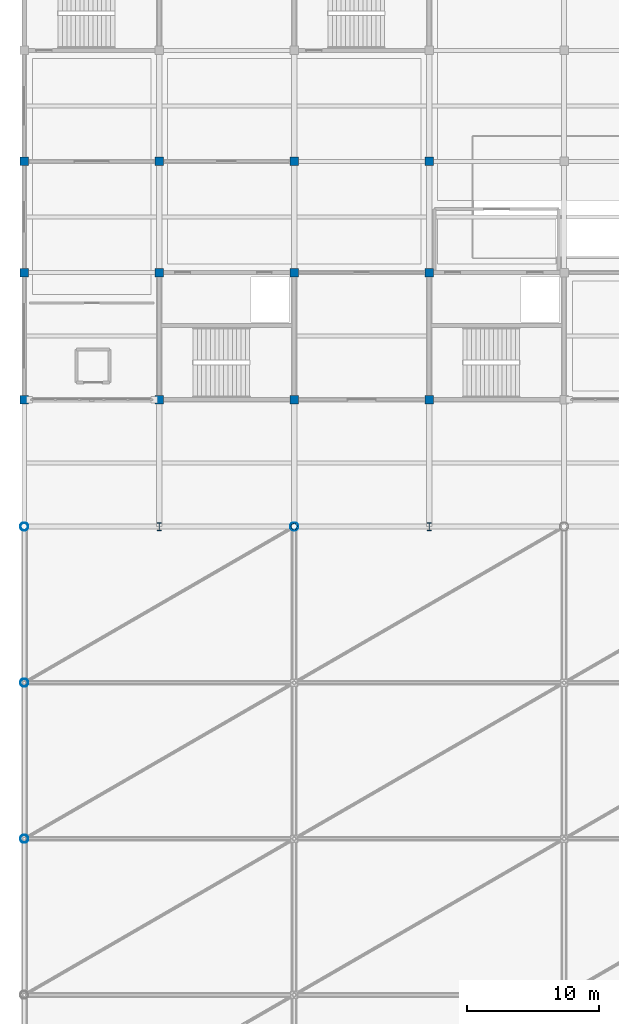
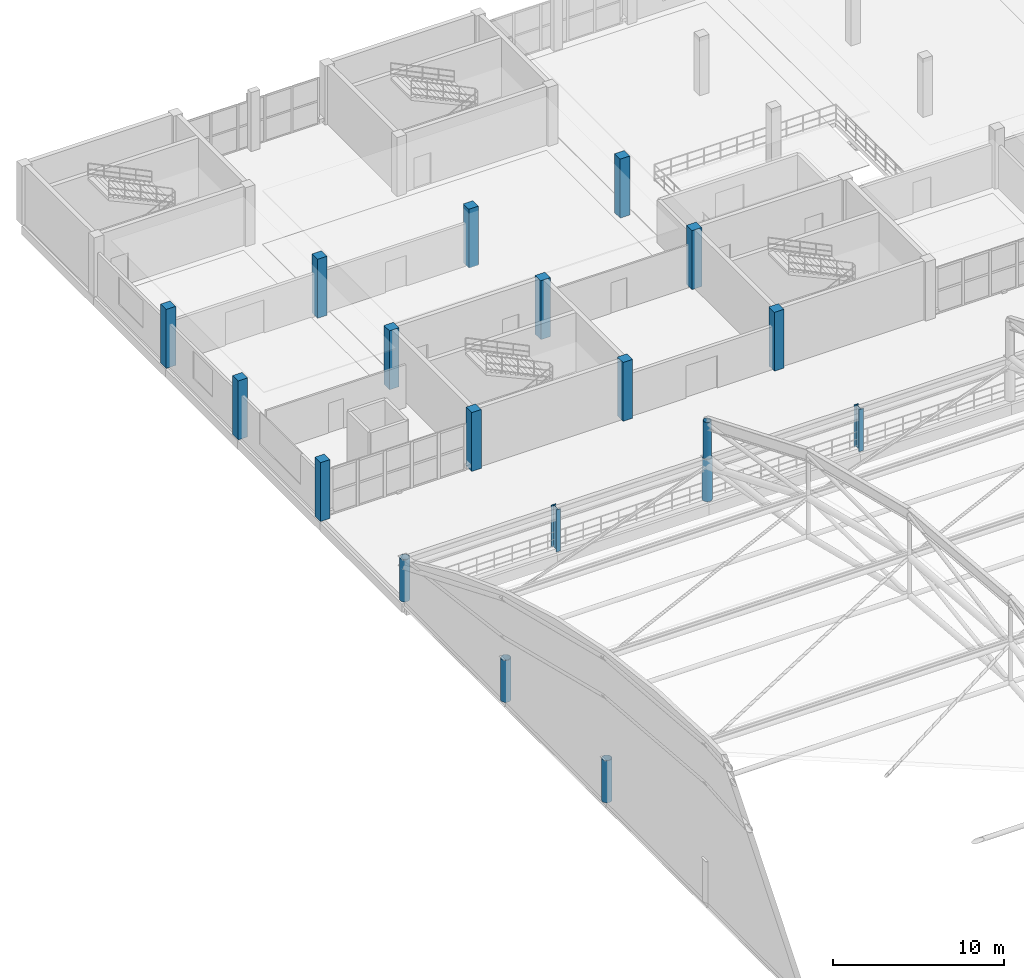
# One storey, part 5 of 135: 19 columns.
"""IFC4 building model written with IfcOpenShell, lengths in metres."""

from ifc_helpers import new_model, si_unit, direction, frame, origin, origin_2d, place, context, subcontext, project, spatial, rectangle, hollow_circle, i_section, extrude, material, material_profile, profile_set, type_object, element, save


model = new_model("IFC4")

# Units and contexts
model_context = context("Model", 3, precision=1e-05, world=origin(), true_north=direction((0.0, 1.0)))
body_context = subcontext(model_context, "Body", "Model", "MODEL_VIEW")
ifc_project = project(units=[si_unit("LENGTHUNIT", "METRE"), si_unit("AREAUNIT", "SQUARE_METRE"), si_unit("VOLUMEUNIT", "CUBIC_METRE"), si_unit("PLANEANGLEUNIT", "RADIAN"), si_unit("MASSUNIT", "GRAM", prefix="KILO")], contexts=[model_context])

# Site, building, storey
site_placement = place(None, origin())
site = spatial("IfcSite", under=ifc_project, at=site_placement, CompositionType="ELEMENT")
building_placement = place(site_placement, origin())
building = spatial("IfcBuilding", under=site, at=building_placement, Name="Brelvane Convention Centre", CompositionType="ELEMENT")
storey_placement = place(building_placement, frame((0.0, 0.0, 15.0)))
storey = spatial("IfcBuildingStorey", under=building, at=storey_placement, Name="L03", CompositionType="ELEMENT", Elevation=15.0)

# Columns
ifc_material_1 = material(Name="Concrete M50", Category="concrete")
ifc_material_profile_1 = material_profile(ifc_material_1, rectangle(XDim=0.64990234375, YDim=0.64990234375, at=origin_2d()), Name="RC 650x650")
ifc_profile_set_1 = profile_set([ifc_material_profile_1], Name="Concrete M50")
column_type_1 = type_object("IfcColumnType", Name="RC Column C-RC10 (RC 650x650)", PredefinedType="COLUMN", material=ifc_profile_set_1)
for number, where, z_axis, x_axis, name in (
    (1, (0.0, 109.199951171875, 0.0), (0.0, 0.0, 1.0), (1.0, 0.0, 0.0), "Column 1-L (L03)"),
    (2, (0.0, 118.800048828125, 0.0), (0.0, 0.0, 1.0), (1.0, 0.0, 0.0), "Column 1-M (L03)"),
    (3, (0.0, 127.199951171875, 0.0), (0.0, 0.0, 1.0), (1.0, 0.0, 0.0), "Column 1-N (L03)"),
    (4, (10.199951171875, 109.199951171875, 0.0), (0.0, 0.0, 1.0), (1.0, 0.0, 0.0), "Column 2-L (L03)"),
    (5, (10.199951171875, 118.800048828125, 0.0), (0.0, 0.0, 1.0), (1.0, 0.0, 0.0), "Column 2-M (L03)"),
    (6, (10.199951171875, 127.199951171875, 0.0), (0.0, 0.0, 1.0), (1.0, 0.0, 0.0), "Column 2-N (L03)"),
    (7, (20.39990234375, 109.199951171875, 0.0), (0.0, 0.0, 1.0), (1.0, 0.0, 0.0), "Column 3-L (L03)"),
    (8, (20.39990234375, 118.800048828125, 0.0), (0.0, 0.0, 1.0), (1.0, 0.0, 0.0), "Column 3-M (L03)"),
    (9, (20.39990234375, 127.199951171875, 0.0), (0.0, 0.0, 1.0), (1.0, 0.0, 0.0), "Column 3-N (L03)"),
    (10, (30.60009765625, 109.199951171875, 0.0), (0.0, 0.0, 1.0), (1.0, 0.0, 0.0), "Column 4-L (L03)"),
    (11, (30.60009765625, 118.800048828125, 0.0), (0.0, 0.0, 1.0), (1.0, 0.0, 0.0), "Column 4-M (L03)"),
    (12, (30.60009765625, 127.199951171875, 0.0), (0.0, 0.0, 1.0), (1.0, 0.0, 0.0), "Column 4-N (L03)"),
):
    element("IfcColumn", number, at=place(storey_placement, frame(where, z_axis=z_axis, x_axis=x_axis)), inside=storey, type_object=column_type_1, Name=name, PredefinedType="COLUMN", context=body_context, shape_type="SweptSolid", body=[
        extrude(rectangle(XDim=0.64990234375, YDim=0.64990234375, at=origin_2d()), origin(), (0.0, 0.0, 1.0), 4.199951171875),
    ])
ifc_material_2 = material(Name="Steel E450 (450 MPa)", Category="steel")
ifc_material_profile_2 = material_profile(ifc_material_2, hollow_circle(Radius=0.304931640625, WallThickness=0.02490234375, at=origin_2d()), Name="CHS 610.0x25.0")
ifc_profile_set_2 = profile_set([ifc_material_profile_2], Name="Steel E450 (450 MPa)")
column_type_2 = type_object("IfcColumnType", Name="Steel Column C-ST1 (CHS 610.0x25.0)", PredefinedType="COLUMN", material=ifc_profile_set_2)
for number, where, z_axis, x_axis, name in (
    (13, (0.0, 76.0, 0.0), (0.0, 0.0, 1.0), (1.0, 0.0, 0.0), "Column 1-H (L03)"),
    (14, (0.0, 87.800048828125, 0.0), (0.0, 0.0, 1.0), (1.0, 0.0, 0.0), "Column 1-J (L03)"),
    (15, (0.0, 99.60009765625, 0.0), (0.0, 0.0, 1.0), (1.0, 0.0, 0.0), "Column 1-K (L03)"),
    (16, (20.39990234375, 99.60009765625, 0.0), (0.0, 0.0, 1.0), (1.0, 0.0, 0.0), "Column 3-K (L03)"),
):
    element("IfcColumn", number, at=place(storey_placement, frame(where, z_axis=z_axis, x_axis=x_axis)), inside=storey, type_object=column_type_2, Name=name, PredefinedType="COLUMN", context=body_context, shape_type="SweptSolid", body=[
        extrude(hollow_circle(Radius=0.304931640625, WallThickness=0.02490234375, at=origin_2d()), origin(), (0.0, 0.0, 1.0), 3.0),
    ])
ifc_material_3 = material(Name="Steel E450 (450 MPa)", Category="steel")
ifc_material_profile_3 = material_profile(ifc_material_3, hollow_circle(Radius=0.25390625, WallThickness=0.02001953125, at=origin_2d()), Name="CHS 508.0x20.0")
ifc_profile_set_3 = profile_set([ifc_material_profile_3], Name="Steel E450 (450 MPa)")
column_type_3 = type_object("IfcColumnType", Name="Steel Column C-ST2 (CHS 508.0x20.0)", PredefinedType="COLUMN", material=ifc_profile_set_3)
column_placement = place(storey_placement, frame((20.39990234375, 99.60009765625, 3.0), z_axis=(0.0, 0.0, 1.0), x_axis=(1.0, 0.0, 0.0)))
element("IfcColumn", 17, at=column_placement, inside=storey, type_object=column_type_3, Name="EXO_EXH Exoskeletal Eaves Mast 2-N", PredefinedType="COLUMN", context=body_context, shape_type="SweptSolid", body=[
    extrude(hollow_circle(Radius=0.25390625, WallThickness=0.02001953125, at=origin_2d()), origin(), (0.0, 0.0, 1.0), 2.60009765625),
])
ifc_material_4 = material(Name="Steel E450 (450 MPa)", Category="steel")
ifc_material_profile_4 = material_profile(ifc_material_4, i_section(OverallWidth=0.300048828125, OverallDepth=0.60009765625, WebThickness=0.015380859375, FlangeThickness=0.030029296875, FilletRadius=0.027099609375, at=origin_2d()), Name="WPB 600x300")
ifc_profile_set_4 = profile_set([ifc_material_profile_4], Name="Steel E450 (450 MPa)")
column_type_4 = type_object("IfcColumnType", Name="Steel Column C-ST5 (WPB 600x300)", PredefinedType="COLUMN", material=ifc_profile_set_4)
for number, where, z_axis, x_axis, name in (
    (18, (10.199951171875, 99.60009765625, 0.0), (0.0, 0.0, 1.0), (1.0, 0.0, 0.0), "Column 2-K (L03)"),
    (19, (30.60009765625, 99.60009765625, 0.0), (0.0, 0.0, 1.0), (1.0, 0.0, 0.0), "Column 4-K (L03)"),
):
    element("IfcColumn", number, at=place(storey_placement, frame(where, z_axis=z_axis, x_axis=x_axis)), inside=storey, type_object=column_type_4, Name=name, PredefinedType="COLUMN", context=body_context, shape_type="SweptSolid", body=[
        extrude(i_section(OverallWidth=0.300048828125, OverallDepth=0.60009765625, WebThickness=0.015380859375, FlangeThickness=0.030029296875, FilletRadius=0.027099609375, at=origin_2d()), origin(), (0.0, 0.0, 1.0), 3.0),
    ])

save(model, "model.ifc")
